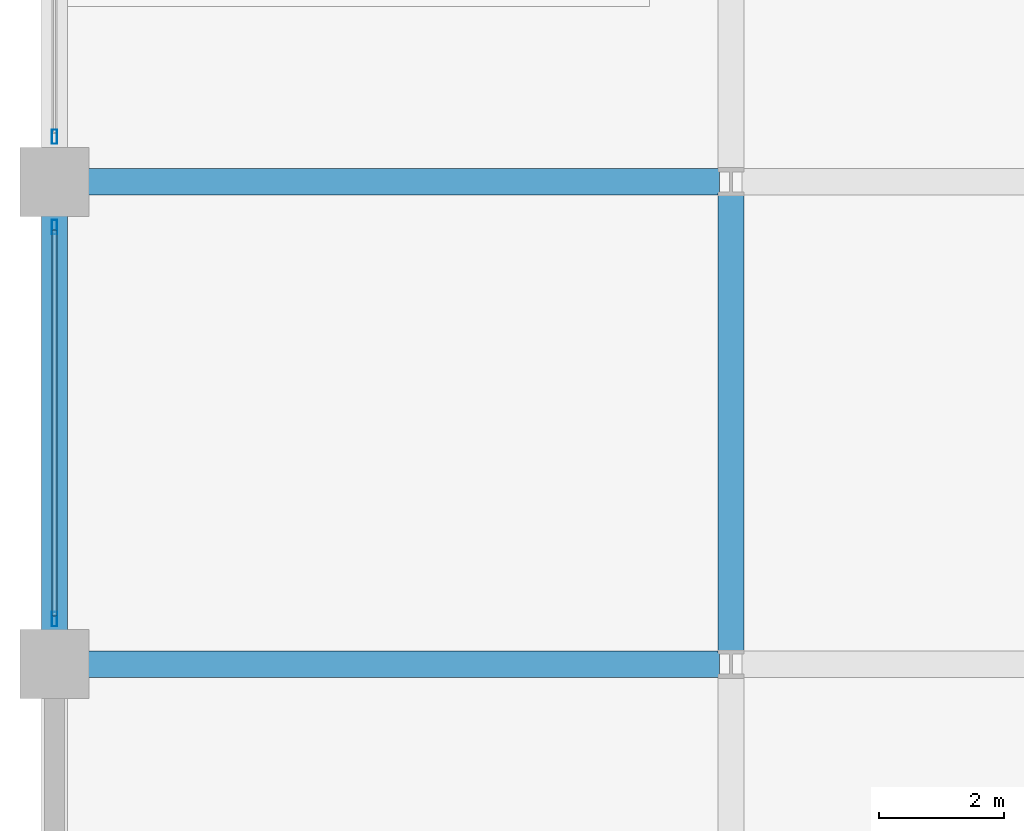
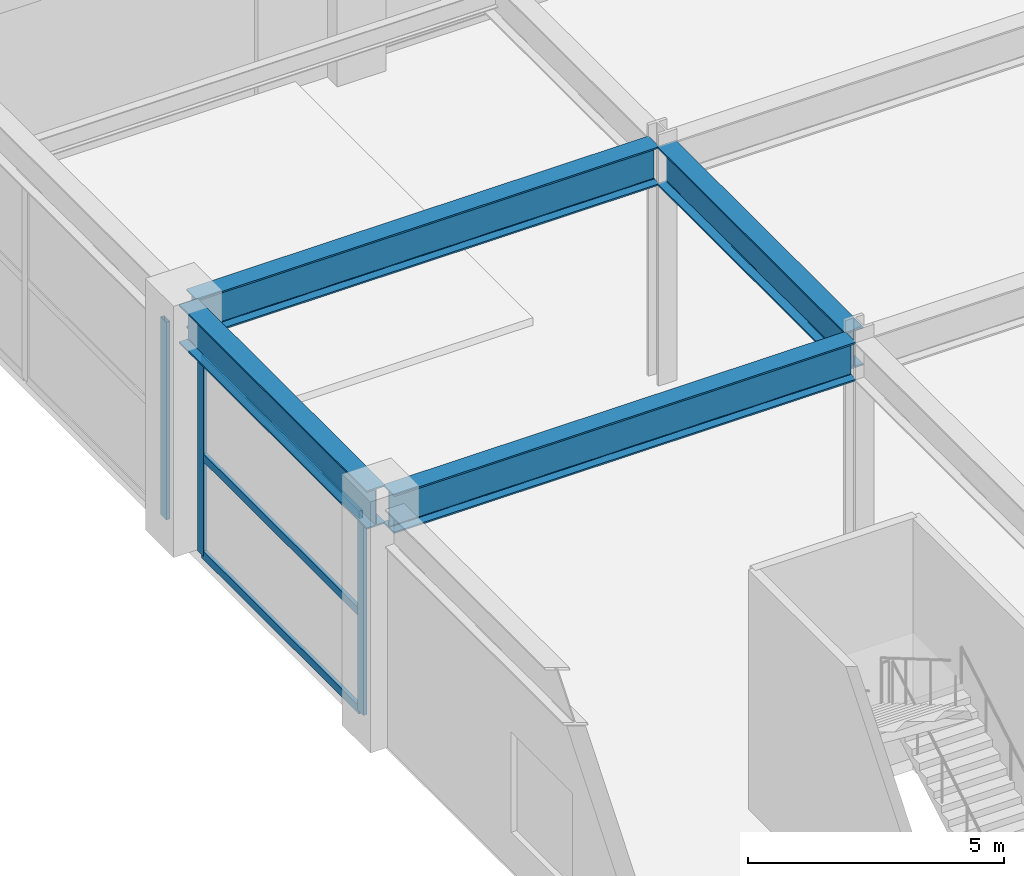
# One storey, part 13 of 41: 6 members, 4 beams, 2 elements without a shape of their own.
"""IFC4 building model written with IfcOpenShell, lengths in metres."""

import ifcopenshell
import ifcopenshell.guid

model = None  # the IFC model being written
_history = None  # IfcOwnerHistory: only IFC2X3 demands one
_inside = {}  # id of a spatial element -> (the spatial element, [elements in it])
_under = {}  # id of a project, library or spatial element -> (it, [spatial elements below it])
_declared = {}  # id of a project -> (the project, [libraries it declares])
_typed = {}  # id of a type object -> (the type object, [elements of that type])
_made_of = {}  # id of a material, layer set ... -> (it, [elements and type objects made of it])


def new_model(schema):
    """Start an empty IFC model of exactly this schema.

    Asked for "IFC4X3", IfcOpenShell would pick the latest addendum, in which some entities
    have other attributes; the version numbers below select the first issue.
    IFC2X3 requires an IfcOwnerHistory on every rooted entity: one is made here for all.
    """
    global model, _history
    if schema == "IFC4X3":
        model = ifcopenshell.file(schema_version=(4, 3, 0, 0))
    else:
        model = ifcopenshell.file(schema=schema)
    _inside.clear()
    _under.clear()
    _declared.clear()
    _typed.clear()
    _made_of.clear()
    _history = None
    if model.schema == "IFC2X3":
        org = make("IfcOrganization", Name="unknown")
        user = make(
            "IfcPersonAndOrganization",
            ThePerson=make("IfcPerson", FamilyName="unknown"),
            TheOrganization=org,
        )
        app = make(
            "IfcApplication",
            ApplicationDeveloper=org,
            Version="unknown",
            ApplicationFullName="unknown",
            ApplicationIdentifier="unknown",
        )
        _history = make(
            "IfcOwnerHistory",
            OwningUser=user,
            OwningApplication=app,
            ChangeAction="ADDED",
            CreationDate=0,
        )
    return model


def make(cls, **values):
    """One entity of the class cls with the attributes given. An attribute that is None is left unset."""
    return model.create_entity(
        cls, **{name: value for name, value in values.items() if value is not None}
    )


def rooted(cls, **values):
    """An entity with a GlobalId (a new one), such as an element, a storey or a relation."""
    return make(cls, GlobalId=ifcopenshell.guid.new(), OwnerHistory=_history, **values)


def si_unit(unit_type, name, prefix=None):
    """IfcSIUnit, for example si_unit("LENGTHUNIT", "METRE", prefix="MILLI")."""
    return make("IfcSIUnit", UnitType=unit_type, Prefix=prefix, Name=name)


def assignment(units):
    """IfcUnitAssignment: the units of a project."""
    return None if units is None else make("IfcUnitAssignment", Units=units)


def point(xyz):
    """IfcCartesianPoint."""
    return None if xyz is None else make("IfcCartesianPoint", Coordinates=xyz)


def direction(xyz):
    """IfcDirection."""
    return None if xyz is None else make("IfcDirection", DirectionRatios=xyz)


def frame(location, z_axis=None, x_axis=None):
    """IfcAxis2Placement3D, a coordinate frame: its origin and axes. An axis left out is left unset."""
    return make(
        "IfcAxis2Placement3D",
        Location=point(location),
        Axis=direction(z_axis),
        RefDirection=direction(x_axis),
    )


def frame_2d(location, x_axis=None):
    """IfcAxis2Placement2D, a coordinate frame in the plane: its origin and x axis."""
    return make(
        "IfcAxis2Placement2D", Location=point(location), RefDirection=direction(x_axis)
    )


def origin():
    """The frame at (0, 0, 0) with its axes left unset."""
    return frame((0.0, 0.0, 0.0))


def origin_2d():
    """The frame at (0, 0) in the plane with its x axis left unset."""
    return frame_2d((0.0, 0.0))


def place(relative_to, where):
    """IfcLocalPlacement: puts the frame where relative to a parent placement (None: the world)."""
    return make(
        "IfcLocalPlacement", PlacementRelTo=relative_to, RelativePlacement=where
    )


def context(
    kind, dimensions, precision=None, world=None, true_north=None, identifier=None
):
    """IfcGeometricRepresentationContext, for example the 3D "Model" context."""
    return make(
        "IfcGeometricRepresentationContext",
        ContextIdentifier=identifier,
        ContextType=kind,
        CoordinateSpaceDimension=dimensions,
        Precision=precision,
        WorldCoordinateSystem=world,
        TrueNorth=true_north,
    )


def subcontext(parent, identifier, kind, view, scale=None):
    """IfcGeometricRepresentationSubContext, for example "Body" below "Model"."""
    return make(
        "IfcGeometricRepresentationSubContext",
        ContextIdentifier=identifier,
        ContextType=kind,
        ParentContext=parent,
        TargetScale=scale,
        TargetView=view,
    )


def project(units=None, contexts=None):
    """IfcProject with its units and contexts."""
    return rooted(
        "IfcProject",
        Name="project",
        RepresentationContexts=contexts,
        UnitsInContext=assignment(units),
    )


def spatial(cls, under=None, at=None, **own):
    """A site, building, storey or space (cls), placed at a placement, below another one or the project."""
    s = rooted(cls, ObjectPlacement=at, **own)
    if under is not None:
        _under.setdefault(under.id(), (under, []))[1].append(s)
    return s


def profile(cls, at=None, kind="AREA", **sizes):
    """A parametric profile (cls). Its sizes go by their IFC names, for example OverallWidth=200.0."""
    return make(cls, ProfileType=kind, Position=at, **sizes)


def hollow_rectangle(**sizes):
    """IfcRectangleHollowProfileDef."""
    return profile("IfcRectangleHollowProfileDef", **sizes)


def i_section(**sizes):
    """IfcIShapeProfileDef."""
    return profile("IfcIShapeProfileDef", **sizes)


def extrude(swept, where, along, depth):
    """IfcExtrudedAreaSolid: the profile swept, set in the frame where, extruded along a direction by depth."""
    return make(
        "IfcExtrudedAreaSolid",
        SweptArea=swept,
        Position=where,
        ExtrudedDirection=direction(along),
        Depth=depth,
    )


def shape(context_of_items, identifier, shape_type, items):
    """IfcShapeRepresentation: the items that make up one representation, for example the "Body"."""
    return make(
        "IfcShapeRepresentation",
        ContextOfItems=context_of_items,
        RepresentationIdentifier=identifier,
        RepresentationType=shape_type,
        Items=items,
    )


def material(Name=None, Category=None):
    """IfcMaterial."""
    return make("IfcMaterial", Name=Name, Category=Category)


def material_profile(
    of_material, cross_section, Name=None, Category=None, Priority=None
):
    """IfcMaterialProfile: a cross section and its material."""
    return make(
        "IfcMaterialProfile",
        Name=Name,
        Material=of_material,
        Profile=cross_section,
        Priority=Priority,
        Category=Category,
    )


def profile_set(profiles, Name=None, composite=None):
    """IfcMaterialProfileSet."""
    return make(
        "IfcMaterialProfileSet",
        Name=Name,
        MaterialProfiles=profiles,
        CompositeProfile=composite,
    )


def made_of(thing, what):
    """Note that an element or type object is made of a material, layer set ...; save() writes the relation."""
    if what is not None:
        _made_of.setdefault(what.id(), (what, []))[1].append(thing)
    return thing


def type_object(cls, material=None, **own):
    """A type object (cls), such as IfcWallType, which elements share."""
    return made_of(rooted(cls, **own), material)


def element(
    cls,
    number,
    at=None,
    inside=None,
    cuts=None,
    type_object=None,
    material=None,
    context=None,
    identifier="Body",
    shape_type=None,
    held_by="IfcProductDefinitionShape",
    body=None,
    shapes=None,
    **own,
):
    """One element of the class cls, such as IfcWall. Its Tag is "e" and its number.

    at: its placement. inside: the storey or other place that contains it. cuts: it is an
    opening in that element (IfcRelVoidsElement). A single representation is given by context,
    identifier, shape_type and body (its items); several are given by shapes. held_by: the class
    of the entity that holds the representations. save() writes the other relations.
    """
    e = rooted(cls, Tag="e%d" % number, ObjectPlacement=at, **own)
    if body is not None:
        shapes = [shape(context, identifier, shape_type, body)]
    if shapes is not None:
        e.Representation = make(held_by, Representations=shapes)
    if inside is not None:
        _inside.setdefault(inside.id(), (inside, []))[1].append(e)
    if cuts is not None:
        rooted(
            "IfcRelVoidsElement", RelatingBuildingElement=cuts, RelatedOpeningElement=e
        )
    if type_object is not None:
        _typed.setdefault(type_object.id(), (type_object, []))[1].append(e)
    return made_of(e, material)


def aggregate(whole, parts):
    """IfcRelAggregates: a whole, such as a stair, and the parts it consists of."""
    return rooted("IfcRelAggregates", RelatingObject=whole, RelatedObjects=parts)


def save(model, path):
    """Write the relations noted so far, then the file.

    IfcRelAggregates (storeys below a building ...), IfcRelContainedInSpatialStructure (elements
    in a storey), IfcRelDefinesByType, IfcRelAssociatesMaterial and IfcRelDeclares: one each for
    every whole, place, type object, material and project.
    """
    for whole, parts in _under.values():
        aggregate(whole, parts)
    for where, things in _inside.values():
        rooted(
            "IfcRelContainedInSpatialStructure",
            RelatedElements=things,
            RelatingStructure=where,
        )
    for kind, things in _typed.values():
        rooted("IfcRelDefinesByType", RelatedObjects=things, RelatingType=kind)
    for what, things in _made_of.values():
        rooted("IfcRelAssociatesMaterial", RelatedObjects=things, RelatingMaterial=what)
    for by, libraries in _declared.values():
        rooted("IfcRelDeclares", RelatingContext=by, RelatedDefinitions=libraries)
    model.write(path)


model = new_model("IFC4")

# Units and contexts
model_context = context("Model", 3, precision=1e-05, world=origin(), true_north=direction((0.0, 1.0)))
body_context = subcontext(model_context, "Body", "Model", "MODEL_VIEW")
ifc_project = project(units=[si_unit("LENGTHUNIT", "METRE"), si_unit("AREAUNIT", "SQUARE_METRE"), si_unit("VOLUMEUNIT", "CUBIC_METRE"), si_unit("PLANEANGLEUNIT", "RADIAN"), si_unit("MASSUNIT", "GRAM", prefix="KILO")], contexts=[model_context])

# Site, building, storey
site_placement = place(None, origin())
site = spatial("IfcSite", under=ifc_project, at=site_placement, CompositionType="ELEMENT")
building_placement = place(site_placement, origin())
building = spatial("IfcBuilding", under=site, at=building_placement, Name="Kovane Verandah Tower", CompositionType="ELEMENT")
storey_placement = place(building_placement, origin())
storey = spatial("IfcBuildingStorey", under=building, at=storey_placement, Name="L00", CompositionType="ELEMENT", Elevation=0.0)

# Beams
ifc_material_1 = material(Name="Steel S460", Category="steel")
ifc_material_profile_1 = material_profile(ifc_material_1, i_section(OverallWidth=0.42041015625, OverallDepth=0.9208984375, WebThickness=0.021484375, FlangeThickness=0.03662109375, FilletRadius=0.024169921875, at=origin_2d()), Name="UB914x419x388")
ifc_profile_set_1 = profile_set([ifc_material_profile_1], Name="Steel S460")
beam_type = type_object("IfcBeamType", Name="BM-UB914x388", PredefinedType="BEAM", material=ifc_profile_set_1)
for number, where, z_axis, x_axis, name in (
    (1, (-1.820068359375, 36.5, 5.239501953125), (1.0, 0.0, 0.0), (0.0, 1.0, 0.0), "L00 Podium Grid Girder X16"),
    (2, (-1.820068359375, 44.199951171875, 5.239501953125), (1.0, 0.0, 0.0), (0.0, 1.0, 0.0), "L00 Podium Grid Girder X20"),
):
    element("IfcBeam", number, at=place(storey_placement, frame(where, z_axis=z_axis, x_axis=x_axis)), inside=storey, type_object=beam_type, Name=name, PredefinedType="BEAM", context=body_context, shape_type="SweptSolid", body=[
        extrude(i_section(OverallWidth=0.42041015625, OverallDepth=0.9208984375, WebThickness=0.021484375, FlangeThickness=0.03662109375, FilletRadius=0.024169921875, at=origin_2d()), origin(), (0.0, 0.0, 1.0), 10.440185546875),
    ])
for number, where, z_axis, x_axis, name in (
    (3, (-2.0, 36.679931640625, 5.239501953125), (0.0, 1.0, 0.0), (-1.0, 0.0, 0.0), "L00 Podium Grid Girder Y34"),
    (4, (8.800048828125, 36.679931640625, 5.239501953125), (0.0, 1.0, 0.0), (-1.0, 0.0, 0.0), "L00 Podium Grid Girder Y39"),
):
    element("IfcBeam", number, at=place(storey_placement, frame(where, z_axis=z_axis, x_axis=x_axis)), inside=storey, type_object=beam_type, Name=name, PredefinedType="BEAM", context=body_context, shape_type="SweptSolid", body=[
        extrude(i_section(OverallWidth=0.42041015625, OverallDepth=0.9208984375, WebThickness=0.021484375, FlangeThickness=0.03662109375, FilletRadius=0.024169921875, at=origin_2d()), origin(), (0.0, 0.0, 1.0), 7.340087890625),
    ])

# Curtain wall, members
ifc_material_2 = material(Name="Champagne Anodised Aluminium Frame with Low-E Clear Laminated Glass", Category="aluminium")
curtain_wall_type = type_object("IfcCurtainWallType", Name="CW-SYS-01-POD", PredefinedType="NOTDEFINED", material=ifc_material_2)
curtain_wall_1_placement = place(storey_placement, origin())
curtain_wall_1 = element("IfcCurtainWall", 5, at=curtain_wall_1_placement, inside=storey, type_object=curtain_wall_type, Name="Ground West Shopfront Curtain Wall Bay 4", PredefinedType="NOTDEFINED")
ifc_material_3 = material(Name="Champagne Anodised Aluminium 6063-T6", Category="aluminium")
ifc_material_profile_2 = material_profile(ifc_material_3, hollow_rectangle(XDim=0.0849609375, YDim=0.22998046875, WallThickness=0.00390625, at=origin_2d()), Name="AL85x230x4")
ifc_profile_set_2 = profile_set([ifc_material_profile_2], Name="Champagne Anodised Aluminium 6063-T6")
member_type_1 = type_object("IfcMemberType", Name="CW-MUL-85x230", PredefinedType="MULLION", material=ifc_profile_set_2)
member_1_placement = place(storey_placement, frame((-2.0, 43.47998046875, 0.02001953125), z_axis=(0.0, 0.0, 1.0), x_axis=(-1.0, 0.0, 0.0)))
member_1 = element("IfcMember", 6, at=member_1_placement, type_object=member_type_1, Name="Ground West Shopfront Curtain Wall Bay 4 Mullion 1", PredefinedType="MULLION", context=body_context, shape_type="SweptSolid", body=[
    extrude(hollow_rectangle(XDim=0.0849609375, YDim=0.22998046875, WallThickness=0.00390625, at=origin_2d()), origin(), (0.0, 0.0, 1.0), 4.718994140625),
])
member_2_placement = place(storey_placement, frame((-2.0, 37.219970703125, 0.02001953125), z_axis=(0.0, 0.0, 1.0), x_axis=(-1.0, 0.0, 0.0)))
member_2 = element("IfcMember", 7, at=member_2_placement, type_object=member_type_1, Name="Ground West Shopfront Curtain Wall Bay 4 Mullion 2", PredefinedType="MULLION", context=body_context, shape_type="SweptSolid", body=[
    extrude(hollow_rectangle(XDim=0.0849609375, YDim=0.22998046875, WallThickness=0.00390625, at=origin_2d()), origin(), (0.0, 0.0, 1.0), 4.718994140625),
])

# Curtain wall, member
curtain_wall_2_placement = place(storey_placement, origin())
curtain_wall_2 = element("IfcCurtainWall", 8, at=curtain_wall_2_placement, inside=storey, type_object=curtain_wall_type, Name="Ground West Shopfront Curtain Wall Bay 5", PredefinedType="NOTDEFINED")
member_3_placement = place(storey_placement, frame((-2.0, 44.919921875, 0.02001953125), z_axis=(0.0, 0.0, 1.0), x_axis=(-1.0, 0.0, 0.0)))
member_3 = element("IfcMember", 9, at=member_3_placement, type_object=member_type_1, Name="Ground West Shopfront Curtain Wall Bay 5 Mullion 3", PredefinedType="MULLION", context=body_context, shape_type="SweptSolid", body=[
    extrude(hollow_rectangle(XDim=0.0849609375, YDim=0.22998046875, WallThickness=0.00390625, at=origin_2d()), origin(), (0.0, 0.0, 1.0), 4.718994140625),
])
aggregate(curtain_wall_2, [member_3])

# Member
ifc_material_profile_3 = material_profile(ifc_material_3, hollow_rectangle(XDim=0.0849609375, YDim=0.18994140625, WallThickness=0.00390625, at=origin_2d()), Name="AL85x190x4")
ifc_profile_set_3 = profile_set([ifc_material_profile_3], Name="Champagne Anodised Aluminium 6063-T6")
member_type_2 = type_object("IfcMemberType", Name="CW-TRN-85x190", PredefinedType="USERDEFINED", material=ifc_profile_set_3)
member_4_placement = place(storey_placement, frame((-2.0, 43.429931640625, 0.050048828125), z_axis=(0.0, -1.0, 0.0), x_axis=(1.0, 0.0, 0.0)))
member_4 = element("IfcMember", 10, at=member_4_placement, type_object=member_type_2, Name="Ground West Shopfront Curtain Wall Bay 4 Transom TB Bay 1", ObjectType="TRANSOM", PredefinedType="USERDEFINED", context=body_context, shape_type="SweptSolid", body=[
    extrude(hollow_rectangle(XDim=0.0849609375, YDim=0.18994140625, WallThickness=0.00390625, at=origin_2d()), origin(), (0.0, 0.0, 1.0), 6.159912109375),
])

member_5_placement = place(storey_placement, frame((-2.0, 43.429931640625, 2.37939453125), z_axis=(0.0, -1.0, 0.0), x_axis=(1.0, 0.0, 0.0)))
member_5 = element("IfcMember", 11, at=member_5_placement, type_object=member_type_2, Name="Ground West Shopfront Curtain Wall Bay 4 Transom TM Bay 1", ObjectType="TRANSOM", PredefinedType="USERDEFINED", context=body_context, shape_type="SweptSolid", body=[
    extrude(hollow_rectangle(XDim=0.0849609375, YDim=0.18994140625, WallThickness=0.00390625, at=origin_2d()), origin(), (0.0, 0.0, 1.0), 6.159912109375),
])

member_6_placement = place(storey_placement, frame((-2.0, 43.429931640625, 4.708984375), z_axis=(0.0, -1.0, 0.0), x_axis=(1.0, 0.0, 0.0)))
member_6 = element("IfcMember", 12, at=member_6_placement, type_object=member_type_2, Name="Ground West Shopfront Curtain Wall Bay 4 Transom TT Bay 1", ObjectType="TRANSOM", PredefinedType="USERDEFINED", context=body_context, shape_type="SweptSolid", body=[
    extrude(hollow_rectangle(XDim=0.0849609375, YDim=0.18994140625, WallThickness=0.00390625, at=origin_2d()), origin(), (0.0, 0.0, 1.0), 6.159912109375),
])

aggregate(curtain_wall_1, [member_1, member_2, member_4, member_5, member_6])

save(model, "model.ifc")
